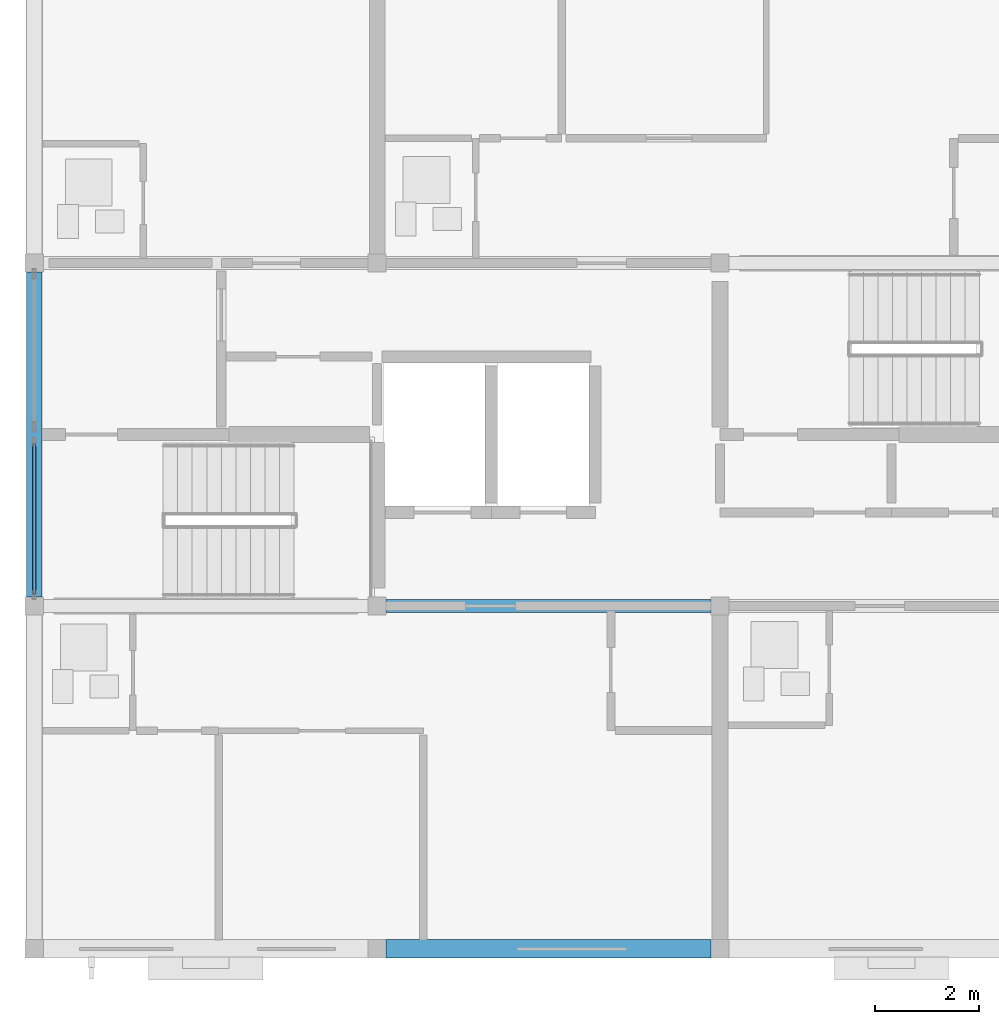
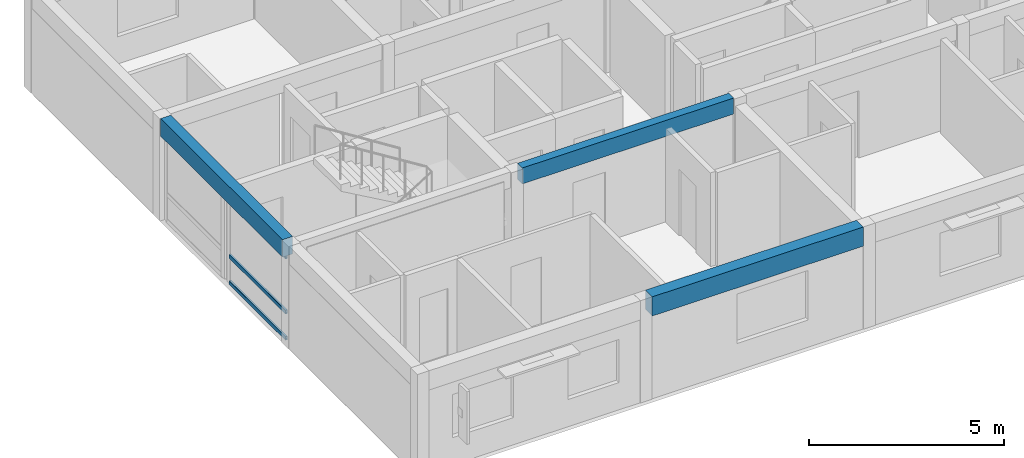
# One storey, part 5 of 53: 3 beams, 3 members, 1 element without a shape of its own.
"""IFC4 building model written with IfcOpenShell, lengths in metres."""

from ifc_helpers import new_model, si_unit, direction, frame, origin, origin_2d, place, context, subcontext, project, spatial, rectangle, hollow_rectangle, extrude, material, material_profile, profile_set, type_object, element, aggregate, save


model = new_model("IFC4")

# Units and contexts
model_context = context("Model", 3, precision=1e-05, world=origin(), true_north=direction((0.0, 1.0)))
body_context = subcontext(model_context, "Body", "Model", "MODEL_VIEW")
ifc_project = project(units=[si_unit("LENGTHUNIT", "METRE"), si_unit("AREAUNIT", "SQUARE_METRE"), si_unit("VOLUMEUNIT", "CUBIC_METRE"), si_unit("PLANEANGLEUNIT", "RADIAN"), si_unit("MASSUNIT", "GRAM", prefix="KILO")], contexts=[model_context])

# Site, building, storey
site_placement = place(None, origin())
site = spatial("IfcSite", under=ifc_project, at=site_placement, CompositionType="ELEMENT")
building_placement = place(site_placement, origin())
building = spatial("IfcBuilding", under=site, at=building_placement, Name="Kernevlak Ridge Housing Community", CompositionType="ELEMENT")
storey_placement = place(building_placement, frame((0.0, 0.0, 24.39990234375)))
storey = spatial("IfcBuildingStorey", under=building, at=storey_placement, Name="L07", CompositionType="ELEMENT", Elevation=24.39990234375)

# Beams
ifc_material_1 = material(Name="Concrete C35/45", Category="concrete")
ifc_material_profile_1 = material_profile(ifc_material_1, rectangle(XDim=0.25, YDim=0.5, at=origin_2d()), Name="RC 250x500")
ifc_profile_set_1 = profile_set([ifc_material_profile_1], Name="Concrete C35/45")
beam_type_1 = type_object("IfcBeamType", Name="B-06", PredefinedType="T_BEAM", material=ifc_profile_set_1)
beam_1_placement = place(storey_placement, frame((22.375, 22.199951171875, 2.9501953125), z_axis=(1.0, 0.0, 0.0), x_axis=(0.0, 1.0, 0.0)))
element("IfcBeam", 1, at=beam_1_placement, inside=storey, type_object=beam_type_1, Name="Beam B-06 L07 1481", PredefinedType="T_BEAM", context=body_context, shape_type="SweptSolid", body=[
    extrude(rectangle(XDim=0.25, YDim=0.5, at=origin_2d()), origin(), (0.0, 0.0, 1.0), 6.25),
])
ifc_material_profile_2 = material_profile(ifc_material_1, rectangle(XDim=0.300048828125, YDim=0.550048828125, at=origin_2d()), Name="RC 300x550")
ifc_profile_set_2 = profile_set([ifc_material_profile_2], Name="Concrete C35/45")
beam_type_2 = type_object("IfcBeamType", Name="SP-01", PredefinedType="SPANDREL", material=ifc_profile_set_2)
beam_2_placement = place(storey_placement, frame((15.60009765625, 22.375, 2.925048828125), z_axis=(0.0, 1.0, 0.0), x_axis=(-1.0, 0.0, 0.0)))
element("IfcBeam", 2, at=beam_2_placement, inside=storey, type_object=beam_type_2, Name="Beam SP-01 L07 1493", PredefinedType="SPANDREL", context=body_context, shape_type="SweptSolid", body=[
    extrude(rectangle(XDim=0.300048828125, YDim=0.550048828125, at=origin_2d()), origin(), (0.0, 0.0, 1.0), 6.25),
])
ifc_material_profile_3 = material_profile(ifc_material_1, rectangle(XDim=0.35009765625, YDim=0.60009765625, at=origin_2d()), Name="RC 350x600")
ifc_profile_set_3 = profile_set([ifc_material_profile_3], Name="Concrete C35/45")
beam_type_3 = type_object("IfcBeamType", Name="SP-03", PredefinedType="SPANDREL", material=ifc_profile_set_3)
beam_3_placement = place(storey_placement, frame((22.375, 15.60009765625, 2.900146484375), z_axis=(1.0, 0.0, 0.0), x_axis=(0.0, 1.0, 0.0)))
element("IfcBeam", 3, at=beam_3_placement, inside=storey, type_object=beam_type_3, Name="Beam SP-03 L07 1477", PredefinedType="SPANDREL", context=body_context, shape_type="SweptSolid", body=[
    extrude(rectangle(XDim=0.35009765625, YDim=0.60009765625, at=origin_2d()), origin(), (0.0, 0.0, 1.0), 6.25),
])

# Curtain wall, members
ifc_material_2 = material(Name="Aluminium EN AW-6060 anodised and laminated glass", Category="aluminium")
curtain_wall_type = type_object("IfcCurtainWallType", Name="CW-10", PredefinedType="NOTDEFINED", material=ifc_material_2)
curtain_wall_placement = place(storey_placement, origin())
curtain_wall = element("IfcCurtainWall", 4, at=curtain_wall_placement, inside=storey, type_object=curtain_wall_type, Name="Curtain wall CW-10 CW-L07-160", PredefinedType="NOTDEFINED")
ifc_material_3 = material(Name="Aluminium EN AW-6060 anodised", Category="aluminium")
ifc_material_profile_4 = material_profile(ifc_material_3, hollow_rectangle(XDim=0.06005859375, YDim=0.1201171875, WallThickness=0.00390625, InnerFilletRadius=0.001953125, OuterFilletRadius=0.00390625, at=origin_2d()), Name="ALU 60x120x4")
ifc_profile_set_4 = profile_set([ifc_material_profile_4], Name="Aluminium EN AW-6060 anodised")
member_type = type_object("IfcMemberType", Name="TM-02", PredefinedType="USERDEFINED", material=ifc_profile_set_4)
member_1_placement = place(storey_placement, frame((15.60009765625, 22.43505859375, 0.030029296875), z_axis=(0.0, 1.0, 0.0), x_axis=(-1.0, 0.0, 0.0)))
member_1 = element("IfcMember", 5, at=member_1_placement, type_object=member_type, Name="CW-10 transom 1.1", ObjectType="TRANSOM", PredefinedType="USERDEFINED", context=body_context, shape_type="SweptSolid", body=[
    extrude(hollow_rectangle(XDim=0.06005859375, YDim=0.1201171875, WallThickness=0.00390625, InnerFilletRadius=0.001953125, OuterFilletRadius=0.00390625, at=origin_2d()), origin(), (0.0, 0.0, 1.0), 2.89501953125),
])
member_2_placement = place(storey_placement, frame((15.60009765625, 22.43505859375, 0.85009765625), z_axis=(0.0, 1.0, 0.0), x_axis=(-1.0, 0.0, 0.0)))
member_2 = element("IfcMember", 6, at=member_2_placement, type_object=member_type, Name="CW-10 transom 1.2", ObjectType="TRANSOM", PredefinedType="USERDEFINED", context=body_context, shape_type="SweptSolid", body=[
    extrude(hollow_rectangle(XDim=0.06005859375, YDim=0.1201171875, WallThickness=0.00390625, InnerFilletRadius=0.001953125, OuterFilletRadius=0.00390625, at=origin_2d()), origin(), (0.0, 0.0, 1.0), 2.89501953125),
])
member_3_placement = place(storey_placement, frame((15.60009765625, 22.43505859375, 2.570068359375), z_axis=(0.0, 1.0, 0.0), x_axis=(-1.0, 0.0, 0.0)))
member_3 = element("IfcMember", 7, at=member_3_placement, type_object=member_type, Name="CW-10 transom 1.3", ObjectType="TRANSOM", PredefinedType="USERDEFINED", context=body_context, shape_type="SweptSolid", body=[
    extrude(hollow_rectangle(XDim=0.06005859375, YDim=0.1201171875, WallThickness=0.00390625, InnerFilletRadius=0.001953125, OuterFilletRadius=0.00390625, at=origin_2d()), origin(), (0.0, 0.0, 1.0), 2.89501953125),
])
aggregate(curtain_wall, [member_1, member_2, member_3])

save(model, "model.ifc")
